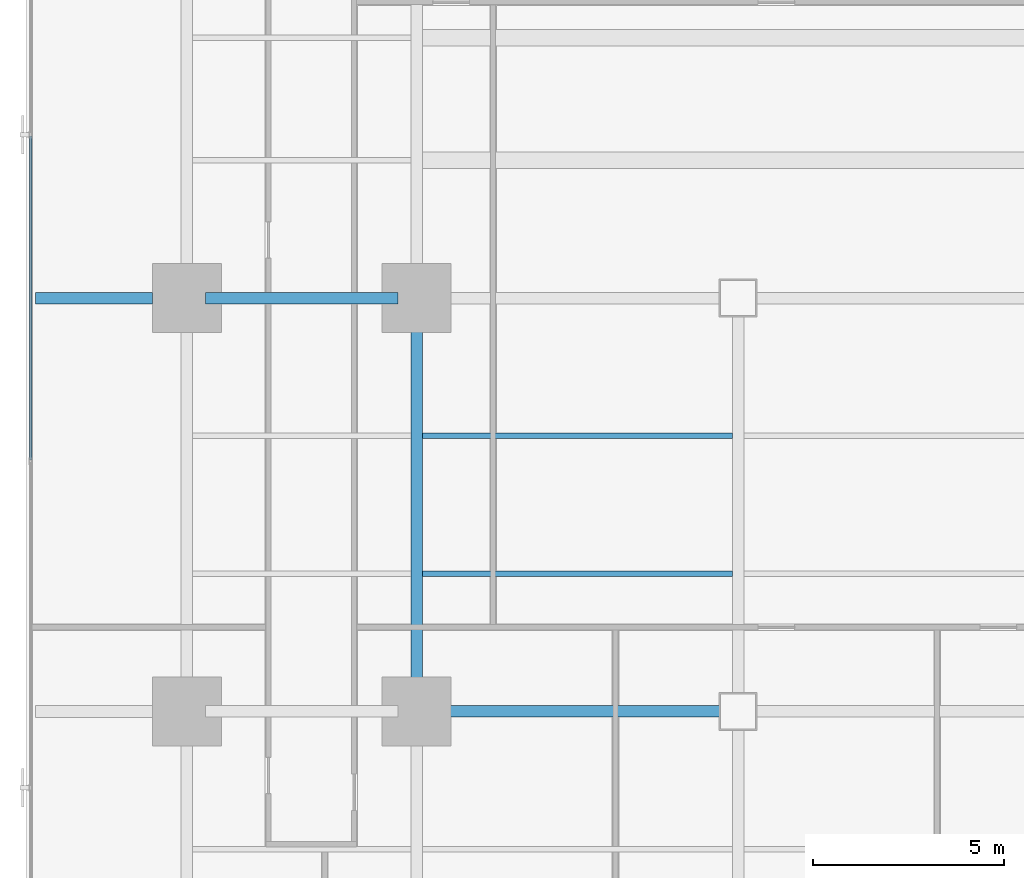
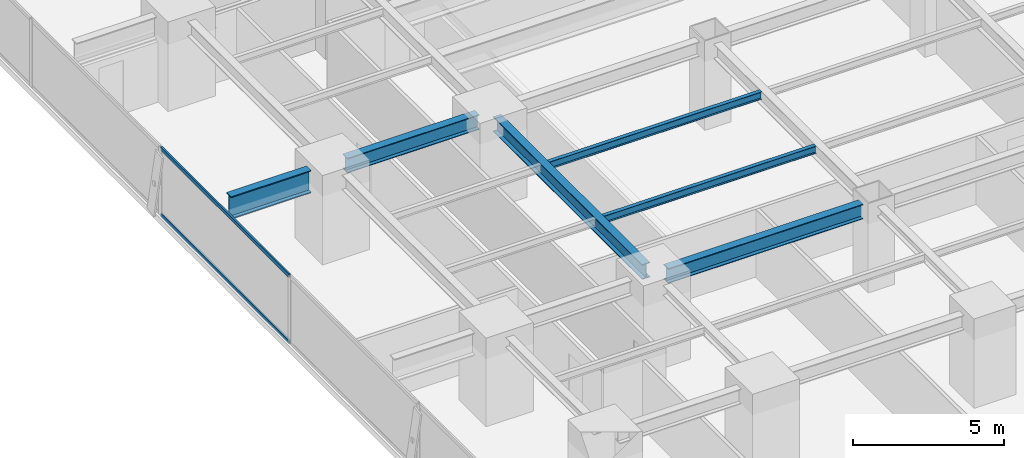
# One storey, part 8 of 34: 6 beams, 2 members, 1 element without a shape of its own.
"""IFC4 building model written with IfcOpenShell, lengths in metres."""

from ifc_helpers import new_model, si_unit, direction, frame, origin, origin_2d, place, context, subcontext, project, spatial, hollow_rectangle, i_section, extrude, source, transform, mapped, material, layer, layer_set, material_profile, profile_set, type_object, element, aggregate, save


model = new_model("IFC4")

# Units and contexts
model_context = context("Model", 3, precision=1e-05, world=origin(), true_north=direction((0.0, 1.0)))
body_context = subcontext(model_context, "Body", "Model", "MODEL_VIEW")
ifc_project = project(units=[si_unit("LENGTHUNIT", "METRE"), si_unit("AREAUNIT", "SQUARE_METRE"), si_unit("VOLUMEUNIT", "CUBIC_METRE"), si_unit("PLANEANGLEUNIT", "RADIAN"), si_unit("MASSUNIT", "GRAM", prefix="KILO")], contexts=[model_context])

# Site, building, storey
site_placement = place(None, origin())
site = spatial("IfcSite", under=ifc_project, at=site_placement, CompositionType="ELEMENT")
building_placement = place(site_placement, origin())
building = spatial("IfcBuilding", under=site, at=building_placement, Name="Sumidabori Civic Tower", CompositionType="ELEMENT")
storey_placement = place(building_placement, frame((0.0, 0.0, 34.39990234375)))
storey = spatial("IfcBuildingStorey", under=building, at=storey_placement, Name="L08", CompositionType="ELEMENT", Elevation=34.39990234375)

# Beams
ifc_material_1 = material(Name="Steel SN490", Category="steel")
ifc_material_profile_1 = material_profile(ifc_material_1, i_section(OverallWidth=0.300048828125, OverallDepth=0.60009765625, WebThickness=0.015380859375, FlangeThickness=0.030029296875, at=origin_2d()), Name="HE 600 B")
ifc_profile_set_1 = profile_set([ifc_material_profile_1], Name="Steel SN490")
beam_type_1 = type_object("IfcBeamType", Name="BM-GIRD-600", PredefinedType="BEAM", material=ifc_profile_set_1)
shared_shape_1 = source(origin(), body_context, "Body", "SweptSolid", [
    extrude(i_section(OverallWidth=0.300048828125, OverallDepth=0.60009765625, WebThickness=0.015380859375, FlangeThickness=0.030029296875, at=origin_2d()), origin(), (0.0, 0.0, 1.0), 5.0400390625),
])
beam_1_placement = place(storey_placement, frame((-22.320068359375, 0.0, 3.06005859375), z_axis=(1.0, 0.0, 0.0), x_axis=(0.0, 1.0, 0.0)))
element("IfcBeam", 1, at=beam_1_placement, inside=storey, type_object=beam_type_1, Name="Primary Girder L08 GX-13", PredefinedType="BEAM", context=body_context, shape_type="MappedRepresentation", body=[
    mapped(shared_shape_1, transform((0.0, 0.0, 0.0), x_axis=(1.0, 0.0, 0.0), y_axis=(0.0, 1.0, 0.0), z_axis=(0.0, 0.0, 1.0), scale=1.0)),
])
shared_shape_2 = source(origin(), body_context, "Body", "SweptSolid", [
    extrude(i_section(OverallWidth=0.300048828125, OverallDepth=0.60009765625, WebThickness=0.015380859375, FlangeThickness=0.030029296875, at=origin_2d()), origin(), (0.0, 0.0, 1.0), 7.440185546875),
])
beam_2_placement = place(storey_placement, frame((-16.320068359375, -10.800048828125, 3.06005859375), z_axis=(1.0, 0.0, 0.0), x_axis=(0.0, 1.0, 0.0)))
element("IfcBeam", 2, at=beam_2_placement, inside=storey, type_object=beam_type_1, Name="Primary Girder L08 GX-08", PredefinedType="BEAM", context=body_context, shape_type="MappedRepresentation", body=[
    mapped(shared_shape_2, transform((0.0, 0.0, 0.0), x_axis=(1.0, 0.0, 0.0), y_axis=(0.0, 1.0, 0.0), z_axis=(0.0, 0.0, 1.0), scale=1.0)),
])
shared_shape_3 = source(origin(), body_context, "Body", "SweptSolid", [
    extrude(i_section(OverallWidth=0.300048828125, OverallDepth=0.60009765625, WebThickness=0.015380859375, FlangeThickness=0.030029296875, at=origin_2d()), origin(), (0.0, 0.0, 1.0), 9.840087890625),
])
beam_3_placement = place(storey_placement, frame((-16.800048828125, -10.320068359375, 3.06005859375), z_axis=(0.0, 1.0, 0.0), x_axis=(-1.0, 0.0, 0.0)))
element("IfcBeam", 3, at=beam_3_placement, inside=storey, type_object=beam_type_1, Name="Primary Girder L08 GY-26", PredefinedType="BEAM", context=body_context, shape_type="MappedRepresentation", body=[
    mapped(shared_shape_3, transform((0.0, 0.0, 0.0), x_axis=(1.0, 0.0, 0.0), y_axis=(0.0, 1.0, 0.0), z_axis=(0.0, 0.0, 1.0), scale=1.0)),
])
ifc_material_profile_2 = material_profile(ifc_material_1, i_section(OverallWidth=0.302001953125, OverallDepth=0.909912109375, WebThickness=0.02099609375, FlangeThickness=0.0400390625, at=origin_2d()), Name="HE 900 M")
ifc_profile_set_2 = profile_set([ifc_material_profile_2], Name="Steel SN490")
beam_type_2 = type_object("IfcBeamType", Name="BM-Z1-EDGE", PredefinedType="SPANDREL", material=ifc_profile_set_2)
shared_shape_4 = source(origin(), body_context, "Body", "SweptSolid", [
    extrude(i_section(OverallWidth=0.302001953125, OverallDepth=0.909912109375, WebThickness=0.02099609375, FlangeThickness=0.0400390625, at=origin_2d()), origin(), (0.0, 0.0, 1.0), 3.050048828125),
])
beam_4_placement = place(storey_placement, frame((-26.75, 0.0, 2.905029296875), z_axis=(1.0, 0.0, 0.0), x_axis=(0.0, 1.0, 0.0)))
element("IfcBeam", 4, at=beam_4_placement, inside=storey, type_object=beam_type_2, Name="Perimeter Overhang Beam L08 W-46", PredefinedType="SPANDREL", context=body_context, shape_type="MappedRepresentation", body=[
    mapped(shared_shape_4, transform((0.0, 0.0, 0.0), x_axis=(1.0, 0.0, 0.0), y_axis=(0.0, 1.0, 0.0), z_axis=(0.0, 0.0, 1.0), scale=1.0)),
])
ifc_material_profile_3 = material_profile(ifc_material_1, i_section(OverallWidth=0.14990234375, OverallDepth=0.300048828125, WebThickness=0.007080078125, FlangeThickness=0.0107421875, at=origin_2d()), Name="IPE 300")
ifc_profile_set_3 = profile_set([ifc_material_profile_3], Name="Steel SN490")
beam_type_3 = type_object("IfcBeamType", Name="BM-JST-300", PredefinedType="JOIST", material=ifc_profile_set_3)
shared_shape_5 = source(origin(), body_context, "Body", "SweptSolid", [
    extrude(i_section(OverallWidth=0.14990234375, OverallDepth=0.300048828125, WebThickness=0.007080078125, FlangeThickness=0.0107421875, at=origin_2d()), origin(), (0.0, 0.0, 1.0), 8.099853515625),
])
for number, where, z_axis, x_axis, name in (
    (5, (-16.64990234375, -7.199951171875, 3.210205078125), (1.0, 0.0, 0.0), (0.0, 1.0, 0.0), "South Bay Floor Joist L08 JSTS-65"),
    (6, (-16.64990234375, -3.60009765625, 3.210205078125), (1.0, 0.0, 0.0), (0.0, 1.0, 0.0), "South Bay Floor Joist L08 JSTS-69"),
):
    element("IfcBeam", number, at=place(storey_placement, frame(where, z_axis=z_axis, x_axis=x_axis)), inside=storey, type_object=beam_type_3, Name=name, PredefinedType="JOIST", context=body_context, shape_type="MappedRepresentation", body=[
        mapped(shared_shape_5, transform((0.0, 0.0, 0.0), x_axis=(1.0, 0.0, 0.0), y_axis=(0.0, 1.0, 0.0), z_axis=(0.0, 0.0, 1.0), scale=1.0)),
    ])

# Curtain wall, members
ifc_material_2 = material(Name="Anodised Bronze Aluminium AW-6063-T6", Category="aluminium")
ifc_layer = layer(ifc_material_2, 0.179931640625, Name="Anodised Bronze Aluminium AW-6063-T6")
ifc_layer_set = layer_set([ifc_layer], Name="Anodised Bronze Aluminium AW-6063-T6")
curtain_wall_type = type_object("IfcCurtainWallType", Name="CW-SYS-2", PredefinedType="NOTDEFINED", material=ifc_layer_set)
curtain_wall_placement = place(storey_placement, origin())
curtain_wall = element("IfcCurtainWall", 7, at=curtain_wall_placement, inside=storey, type_object=curtain_wall_type, Name="Curtain Wall CW:L08:R10", PredefinedType="NOTDEFINED")
ifc_material_profile_4 = material_profile(ifc_material_2, hollow_rectangle(XDim=0.06494140625, YDim=0.14990234375, WallThickness=0.0048828125, at=origin_2d()), Name="ALU TRANSOM 150x65")
ifc_profile_set_4 = profile_set([ifc_material_profile_4], Name="Anodised Bronze Aluminium AW-6063-T6")
member_type = type_object("IfcMemberType", Name="CW-TRN-150", PredefinedType="USERDEFINED", material=ifc_profile_set_4)
shared_shape_6 = source(origin(), body_context, "Body", "SweptSolid", [
    extrude(hollow_rectangle(XDim=0.06494140625, YDim=0.14990234375, WallThickness=0.0048828125, at=origin_2d()), origin(), (0.0, 0.0, 1.0), 8.4580078125),
])
member_1_placement = place(storey_placement, frame((-26.8798828125, 4.22900390625, 0.03271484375), z_axis=(0.0, -1.0, 0.0), x_axis=(1.0, 0.0, 0.0)))
member_1 = element("IfcMember", 8, at=member_1_placement, type_object=member_type, Name="CW-2 transom 3.1", ObjectType="TRANSOM", PredefinedType="USERDEFINED", context=body_context, shape_type="MappedRepresentation", body=[
    mapped(shared_shape_6, transform((0.0, 0.0, 0.0), x_axis=(1.0, 0.0, 0.0), y_axis=(0.0, 1.0, 0.0), z_axis=(0.0, 0.0, 1.0), scale=1.0)),
])
member_2_placement = place(storey_placement, frame((-26.8798828125, 4.22900390625, 2.70751953125), z_axis=(0.0, -1.0, 0.0), x_axis=(1.0, 0.0, 0.0)))
member_2 = element("IfcMember", 9, at=member_2_placement, type_object=member_type, Name="CW-2 transom 3.2", ObjectType="TRANSOM", PredefinedType="USERDEFINED", context=body_context, shape_type="MappedRepresentation", body=[
    mapped(shared_shape_6, transform((0.0, 0.0, 0.0), x_axis=(1.0, 0.0, 0.0), y_axis=(0.0, 1.0, 0.0), z_axis=(0.0, 0.0, 1.0), scale=1.0)),
])
aggregate(curtain_wall, [member_1, member_2])

save(model, "model.ifc")
